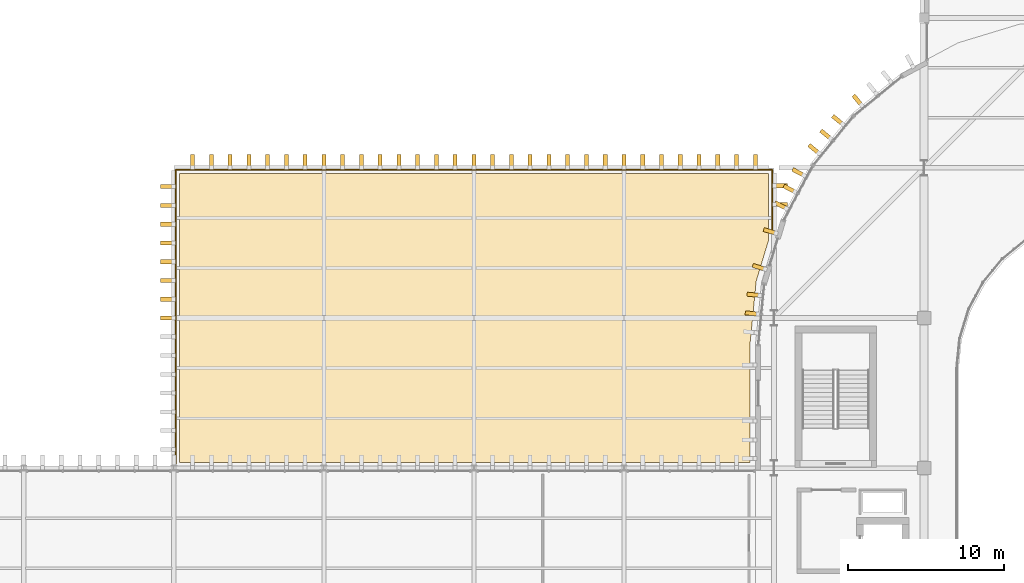
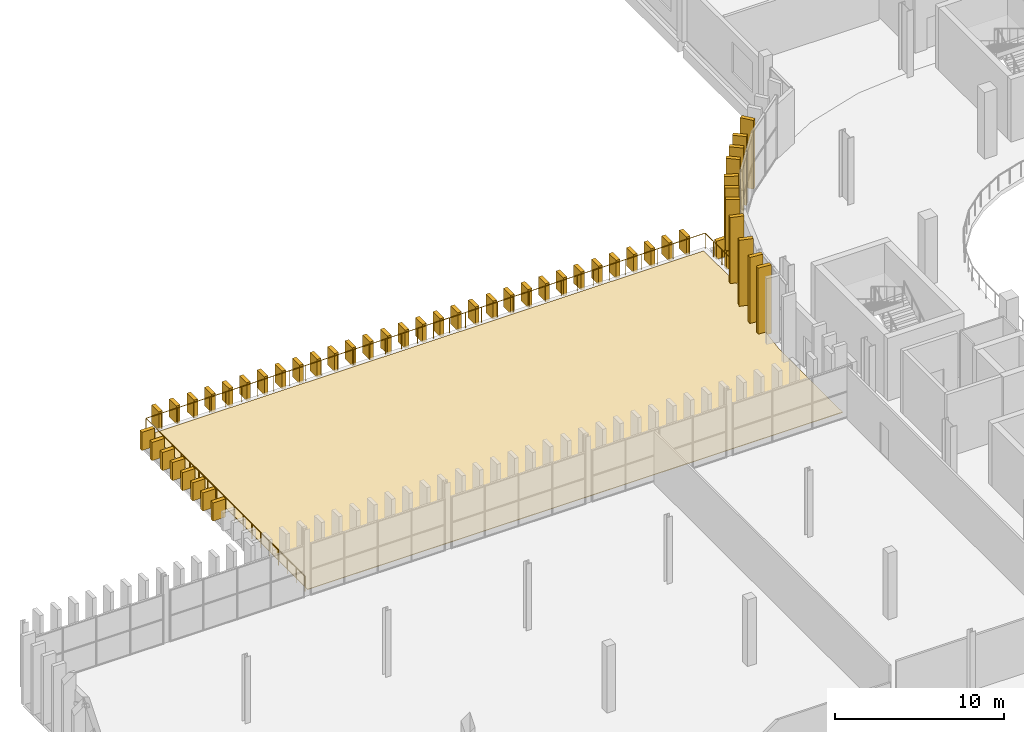
# One storey, part 86 of 99: 53 coverings, 1 railing.
"""IFC4 building model written with IfcOpenShell, lengths in metres."""

import ifcopenshell
import ifcopenshell.guid

model = None  # the IFC model being written
_history = None  # IfcOwnerHistory: only IFC2X3 demands one
_inside = {}  # id of a spatial element -> (the spatial element, [elements in it])
_under = {}  # id of a project, library or spatial element -> (it, [spatial elements below it])
_declared = {}  # id of a project -> (the project, [libraries it declares])
_typed = {}  # id of a type object -> (the type object, [elements of that type])
_made_of = {}  # id of a material, layer set ... -> (it, [elements and type objects made of it])


def new_model(schema):
    """Start an empty IFC model of exactly this schema.

    Asked for "IFC4X3", IfcOpenShell would pick the latest addendum, in which some entities
    have other attributes; the version numbers below select the first issue.
    IFC2X3 requires an IfcOwnerHistory on every rooted entity: one is made here for all.
    """
    global model, _history
    if schema == "IFC4X3":
        model = ifcopenshell.file(schema_version=(4, 3, 0, 0))
    else:
        model = ifcopenshell.file(schema=schema)
    _inside.clear()
    _under.clear()
    _declared.clear()
    _typed.clear()
    _made_of.clear()
    _history = None
    if model.schema == "IFC2X3":
        org = make("IfcOrganization", Name="unknown")
        user = make(
            "IfcPersonAndOrganization",
            ThePerson=make("IfcPerson", FamilyName="unknown"),
            TheOrganization=org,
        )
        app = make(
            "IfcApplication",
            ApplicationDeveloper=org,
            Version="unknown",
            ApplicationFullName="unknown",
            ApplicationIdentifier="unknown",
        )
        _history = make(
            "IfcOwnerHistory",
            OwningUser=user,
            OwningApplication=app,
            ChangeAction="ADDED",
            CreationDate=0,
        )
    return model


def make(cls, **values):
    """One entity of the class cls with the attributes given. An attribute that is None is left unset."""
    return model.create_entity(
        cls, **{name: value for name, value in values.items() if value is not None}
    )


def rooted(cls, **values):
    """An entity with a GlobalId (a new one), such as an element, a storey or a relation."""
    return make(cls, GlobalId=ifcopenshell.guid.new(), OwnerHistory=_history, **values)


def si_unit(unit_type, name, prefix=None):
    """IfcSIUnit, for example si_unit("LENGTHUNIT", "METRE", prefix="MILLI")."""
    return make("IfcSIUnit", UnitType=unit_type, Prefix=prefix, Name=name)


def assignment(units):
    """IfcUnitAssignment: the units of a project."""
    return None if units is None else make("IfcUnitAssignment", Units=units)


def point(xyz):
    """IfcCartesianPoint."""
    return None if xyz is None else make("IfcCartesianPoint", Coordinates=xyz)


def direction(xyz):
    """IfcDirection."""
    return None if xyz is None else make("IfcDirection", DirectionRatios=xyz)


def frame(location, z_axis=None, x_axis=None):
    """IfcAxis2Placement3D, a coordinate frame: its origin and axes. An axis left out is left unset."""
    return make(
        "IfcAxis2Placement3D",
        Location=point(location),
        Axis=direction(z_axis),
        RefDirection=direction(x_axis),
    )


def frame_2d(location, x_axis=None):
    """IfcAxis2Placement2D, a coordinate frame in the plane: its origin and x axis."""
    return make(
        "IfcAxis2Placement2D", Location=point(location), RefDirection=direction(x_axis)
    )


def origin():
    """The frame at (0, 0, 0) with its axes left unset."""
    return frame((0.0, 0.0, 0.0))


def origin_2d():
    """The frame at (0, 0) in the plane with its x axis left unset."""
    return frame_2d((0.0, 0.0))


def place(relative_to, where):
    """IfcLocalPlacement: puts the frame where relative to a parent placement (None: the world)."""
    return make(
        "IfcLocalPlacement", PlacementRelTo=relative_to, RelativePlacement=where
    )


def context(
    kind, dimensions, precision=None, world=None, true_north=None, identifier=None
):
    """IfcGeometricRepresentationContext, for example the 3D "Model" context."""
    return make(
        "IfcGeometricRepresentationContext",
        ContextIdentifier=identifier,
        ContextType=kind,
        CoordinateSpaceDimension=dimensions,
        Precision=precision,
        WorldCoordinateSystem=world,
        TrueNorth=true_north,
    )


def subcontext(parent, identifier, kind, view, scale=None):
    """IfcGeometricRepresentationSubContext, for example "Body" below "Model"."""
    return make(
        "IfcGeometricRepresentationSubContext",
        ContextIdentifier=identifier,
        ContextType=kind,
        ParentContext=parent,
        TargetScale=scale,
        TargetView=view,
    )


def project(units=None, contexts=None):
    """IfcProject with its units and contexts."""
    return rooted(
        "IfcProject",
        Name="project",
        RepresentationContexts=contexts,
        UnitsInContext=assignment(units),
    )


def spatial(cls, under=None, at=None, **own):
    """A site, building, storey or space (cls), placed at a placement, below another one or the project."""
    s = rooted(cls, ObjectPlacement=at, **own)
    if under is not None:
        _under.setdefault(under.id(), (under, []))[1].append(s)
    return s


def polyline(points):
    """IfcPolyline through the points."""
    return make("IfcPolyline", Points=[point(p) for p in points])


def profile(cls, at=None, kind="AREA", **sizes):
    """A parametric profile (cls). Its sizes go by their IFC names, for example OverallWidth=200.0."""
    return make(cls, ProfileType=kind, Position=at, **sizes)


def rectangle(**sizes):
    """IfcRectangleProfileDef."""
    return profile("IfcRectangleProfileDef", **sizes)


def circle(**sizes):
    """IfcCircleProfileDef."""
    return profile("IfcCircleProfileDef", **sizes)


def outline(outer, holes=None, kind="AREA"):
    """IfcArbitraryClosedProfileDef: a profile drawn as a closed curve; with holes, ...WithVoids."""
    if holes is None:
        return make("IfcArbitraryClosedProfileDef", ProfileType=kind, OuterCurve=outer)
    return make(
        "IfcArbitraryProfileDefWithVoids",
        ProfileType=kind,
        OuterCurve=outer,
        InnerCurves=holes,
    )


def extrude(swept, where, along, depth):
    """IfcExtrudedAreaSolid: the profile swept, set in the frame where, extruded along a direction by depth."""
    return make(
        "IfcExtrudedAreaSolid",
        SweptArea=swept,
        Position=where,
        ExtrudedDirection=direction(along),
        Depth=depth,
    )


def shape(context_of_items, identifier, shape_type, items):
    """IfcShapeRepresentation: the items that make up one representation, for example the "Body"."""
    return make(
        "IfcShapeRepresentation",
        ContextOfItems=context_of_items,
        RepresentationIdentifier=identifier,
        RepresentationType=shape_type,
        Items=items,
    )


def material(Name=None, Category=None):
    """IfcMaterial."""
    return make("IfcMaterial", Name=Name, Category=Category)


def layer(
    of_material, thickness, ventilated=None, Name=None, Category=None, Priority=None
):
    """IfcMaterialLayer: one layer of a wall or slab, of a material (None: an air gap)."""
    return make(
        "IfcMaterialLayer",
        Material=of_material,
        LayerThickness=thickness,
        IsVentilated=ventilated,
        Name=Name,
        Category=Category,
        Priority=Priority,
    )


def layer_set(layers, Name=None):
    """IfcMaterialLayerSet."""
    return make("IfcMaterialLayerSet", MaterialLayers=layers, LayerSetName=Name)


def material_profile(
    of_material, cross_section, Name=None, Category=None, Priority=None
):
    """IfcMaterialProfile: a cross section and its material."""
    return make(
        "IfcMaterialProfile",
        Name=Name,
        Material=of_material,
        Profile=cross_section,
        Priority=Priority,
        Category=Category,
    )


def profile_set(profiles, Name=None, composite=None):
    """IfcMaterialProfileSet."""
    return make(
        "IfcMaterialProfileSet",
        Name=Name,
        MaterialProfiles=profiles,
        CompositeProfile=composite,
    )


def made_of(thing, what):
    """Note that an element or type object is made of a material, layer set ...; save() writes the relation."""
    if what is not None:
        _made_of.setdefault(what.id(), (what, []))[1].append(thing)
    return thing


def type_object(cls, material=None, **own):
    """A type object (cls), such as IfcWallType, which elements share."""
    return made_of(rooted(cls, **own), material)


def element(
    cls,
    number,
    at=None,
    inside=None,
    cuts=None,
    type_object=None,
    material=None,
    context=None,
    identifier="Body",
    shape_type=None,
    held_by="IfcProductDefinitionShape",
    body=None,
    shapes=None,
    **own,
):
    """One element of the class cls, such as IfcWall. Its Tag is "e" and its number.

    at: its placement. inside: the storey or other place that contains it. cuts: it is an
    opening in that element (IfcRelVoidsElement). A single representation is given by context,
    identifier, shape_type and body (its items); several are given by shapes. held_by: the class
    of the entity that holds the representations. save() writes the other relations.
    """
    e = rooted(cls, Tag="e%d" % number, ObjectPlacement=at, **own)
    if body is not None:
        shapes = [shape(context, identifier, shape_type, body)]
    if shapes is not None:
        e.Representation = make(held_by, Representations=shapes)
    if inside is not None:
        _inside.setdefault(inside.id(), (inside, []))[1].append(e)
    if cuts is not None:
        rooted(
            "IfcRelVoidsElement", RelatingBuildingElement=cuts, RelatedOpeningElement=e
        )
    if type_object is not None:
        _typed.setdefault(type_object.id(), (type_object, []))[1].append(e)
    return made_of(e, material)


def aggregate(whole, parts):
    """IfcRelAggregates: a whole, such as a stair, and the parts it consists of."""
    return rooted("IfcRelAggregates", RelatingObject=whole, RelatedObjects=parts)


def save(model, path):
    """Write the relations noted so far, then the file.

    IfcRelAggregates (storeys below a building ...), IfcRelContainedInSpatialStructure (elements
    in a storey), IfcRelDefinesByType, IfcRelAssociatesMaterial and IfcRelDeclares: one each for
    every whole, place, type object, material and project.
    """
    for whole, parts in _under.values():
        aggregate(whole, parts)
    for where, things in _inside.values():
        rooted(
            "IfcRelContainedInSpatialStructure",
            RelatedElements=things,
            RelatingStructure=where,
        )
    for kind, things in _typed.values():
        rooted("IfcRelDefinesByType", RelatedObjects=things, RelatingType=kind)
    for what, things in _made_of.values():
        rooted("IfcRelAssociatesMaterial", RelatedObjects=things, RelatingMaterial=what)
    for by, libraries in _declared.values():
        rooted("IfcRelDeclares", RelatingContext=by, RelatedDefinitions=libraries)
    model.write(path)


model = new_model("IFC4")

# Units and contexts
model_context = context("Model", 3, precision=1e-05, world=origin(), true_north=direction((0.0, 1.0)))
body_context = subcontext(model_context, "Body", "Model", "MODEL_VIEW")
ifc_project = project(units=[si_unit("LENGTHUNIT", "METRE"), si_unit("AREAUNIT", "SQUARE_METRE"), si_unit("VOLUMEUNIT", "CUBIC_METRE"), si_unit("PLANEANGLEUNIT", "RADIAN"), si_unit("MASSUNIT", "GRAM", prefix="KILO")], contexts=[model_context])

# Site, building, storey
site_placement = place(None, origin())
site = spatial("IfcSite", under=ifc_project, at=site_placement, CompositionType="ELEMENT")
building_placement = place(site_placement, origin())
building = spatial("IfcBuilding", under=site, at=building_placement, Name="Caelomonte Colonnade Arena", CompositionType="ELEMENT")
storey_placement = place(building_placement, frame((0.0, 0.0, 4.800048828125)))
storey = spatial("IfcBuildingStorey", under=building, at=storey_placement, Name="L01", CompositionType="ELEMENT", Elevation=4.800048828125)

# Coverings
ifc_material_1 = material(Name="Travertine colonnade arrival paving", Category="masonry")
ifc_layer = layer(ifc_material_1, 0.0400390625)
ifc_layer_set = layer_set([ifc_layer], Name="Travertine colonnade arrival paving")
covering_type_1 = type_object("IfcCoveringType", Name="ENV-CV-PAV25", PredefinedType="FLOORING", material=ifc_layer_set)
covering_placement = place(storey_placement, origin())
element("IfcCovering", 1, at=covering_placement, inside=storey, type_object=covering_type_1, Name="North Athlete Deck Roof travertine terrace paving 2", PredefinedType="FLOORING", context=body_context, shape_type="SweptSolid", body=[
    extrude(outline(polyline([(19.550048828125, 86.75), (56.050048828125, 86.75), (56.050048828125, 94.199951171875), (56.0517578125, 94.234375), (56.455078125, 98.331298828125), (56.460205078125, 98.365234375), (56.468505859375, 98.3984375), (57.25, 100.974609375), (57.25, 105.25), (19.550048828125, 105.25), (19.550048828125, 86.75)])), origin(), (0.0, 0.0, 1.0), 0.0400390625),
])
ifc_material_2 = material(Name="Precast travertine cladding", Category="masonry")
ifc_material_profile = material_profile(ifc_material_2, rectangle(XDim=0.260009765625, YDim=0.85009765625, at=origin_2d()), Name="FIN260X850")
ifc_profile_set = profile_set([ifc_material_profile], Name="Precast travertine cladding")
covering_type_2 = type_object("IfcCoveringType", Name="ENV-FN-SHAFT", PredefinedType="CLADDING", material=ifc_profile_set)
for number, where, z_axis, x_axis, name in (
    (2, (62.947265625, 109.919189453125, -0.16015625), (0.0, 0.0, 1.0), (0.77299384472, 0.634413521313, 0.0), "V1 L01 classical travertine vertical fin 158"),
    (3, (61.680908203125, 108.65283203125, -0.16015625), (0.0, 0.0, 1.0), (0.634413521313, 0.77299384472, 0.0), "V1 L01 classical travertine vertical fin 159"),
    (4, (60.91943359375, 107.72509765625, -0.16015625), (0.0, 0.0, 1.0), (0.634413521313, 0.77299384472, 0.0), "V1 L01 classical travertine vertical fin 160"),
    (5, (60.158203125, 106.797607421875, -0.16015625), (0.0, 0.0, 1.0), (0.634413521313, 0.77299384472, 0.0), "V1 L01 classical travertine vertical fin 161"),
    (6, (59.1630859375, 105.30859375, -0.16015625), (0.0, 0.0, 1.0), (0.471396736826, 0.881921264348, 0.0), "V1 L01 classical travertine vertical fin 162"),
    (7, (58.597412109375, 104.250244140625, -0.16015625), (0.0, 0.0, 1.0), (0.471396736826, 0.881921264348, 0.0), "V1 L01 classical travertine vertical fin 163"),
    (8, (58.03173828125, 103.19189453125, -0.16015625), (0.0, 0.0, 1.0), (0.471396736826, 0.881921264348, 0.0), "V1 L01 classical travertine vertical fin 164"),
    (9, (57.346435546875, 101.537109375, -0.16015625), (0.0, 0.0, 1.0), (0.290276326364, 0.956942868907, 0.0), "V1 L01 classical travertine vertical fin 165"),
    (10, (56.64990234375, 99.240478515625, -0.16015625), (0.0, 0.0, 1.0), (0.290276326364, 0.956942868907, 0.0), "V1 L01 classical travertine vertical fin 167"),
    (11, (56.30029296875, 97.48388671875, -0.16015625), (0.0, 0.0, 1.0), (0.098015403404, 0.995184897743, 0.0), "V1 L01 classical travertine vertical fin 168"),
    (12, (56.182861328125, 96.289794921875, -0.16015625), (0.0, 0.0, 1.0), (0.098015403404, 0.995184897743, 0.0), "V1 L01 classical travertine vertical fin 169"),
):
    element("IfcCovering", number, at=place(storey_placement, frame(where, z_axis=z_axis, x_axis=x_axis)), inside=storey, type_object=covering_type_2, Name=name, PredefinedType="CLADDING", context=body_context, shape_type="SweptSolid", body=[
        extrude(rectangle(XDim=0.260009765625, YDim=0.85009765625, at=origin_2d()), origin(), (0.0, 0.0, 1.0), 4.960205078125),
    ])
for number, where, z_axis, x_axis, name in (
    (13, (58.02099609375, 103.26123046875, -0.16015625), (0.0, 0.0, 1.0), (0.0, -1.0, 0.0), "V5D L01 classical travertine vertical fin 2"),
    (14, (58.02099609375, 104.461181640625, -0.16015625), (0.0, 0.0, 1.0), (0.0, -1.0, 0.0), "V5D L01 classical travertine vertical fin 3"),
    (15, (56.39990234375, 106.02099609375, -0.16015625), (0.0, 0.0, 1.0), (1.0, 0.0, 0.0), "V5D L01 classical travertine vertical fin 4"),
    (16, (55.199951171875, 106.02099609375, -0.16015625), (0.0, 0.0, 1.0), (1.0, 0.0, 0.0), "V5D L01 classical travertine vertical fin 5"),
    (17, (54.0, 106.02099609375, -0.16015625), (0.0, 0.0, 1.0), (1.0, 0.0, 0.0), "V5D L01 classical travertine vertical fin 6"),
    (18, (52.800048828125, 106.02099609375, -0.16015625), (0.0, 0.0, 1.0), (1.0, 0.0, 0.0), "V5D L01 classical travertine vertical fin 7"),
    (19, (51.60009765625, 106.02099609375, -0.16015625), (0.0, 0.0, 1.0), (1.0, 0.0, 0.0), "V5D L01 classical travertine vertical fin 8"),
    (20, (50.39990234375, 106.02099609375, -0.16015625), (0.0, 0.0, 1.0), (1.0, 0.0, 0.0), "V5D L01 classical travertine vertical fin 9"),
    (21, (49.199951171875, 106.02099609375, -0.16015625), (0.0, 0.0, 1.0), (1.0, 0.0, 0.0), "V5D L01 classical travertine vertical fin 10"),
    (22, (48.0, 106.02099609375, -0.16015625), (0.0, 0.0, 1.0), (1.0, 0.0, 0.0), "V5D L01 classical travertine vertical fin 11"),
    (23, (46.800048828125, 106.02099609375, -0.16015625), (0.0, 0.0, 1.0), (1.0, 0.0, 0.0), "V5D L01 classical travertine vertical fin 12"),
    (24, (45.60009765625, 106.02099609375, -0.16015625), (0.0, 0.0, 1.0), (1.0, 0.0, 0.0), "V5D L01 classical travertine vertical fin 13"),
    (25, (44.39990234375, 106.02099609375, -0.16015625), (0.0, 0.0, 1.0), (1.0, 0.0, 0.0), "V5D L01 classical travertine vertical fin 14"),
    (26, (43.199951171875, 106.02099609375, -0.16015625), (0.0, 0.0, 1.0), (1.0, 0.0, 0.0), "V5D L01 classical travertine vertical fin 15"),
    (27, (42.0, 106.02099609375, -0.16015625), (0.0, 0.0, 1.0), (1.0, 0.0, 0.0), "V5D L01 classical travertine vertical fin 16"),
    (28, (40.800048828125, 106.02099609375, -0.16015625), (0.0, 0.0, 1.0), (1.0, 0.0, 0.0), "V5D L01 classical travertine vertical fin 17"),
    (29, (39.60009765625, 106.02099609375, -0.16015625), (0.0, 0.0, 1.0), (1.0, 0.0, 0.0), "V5D L01 classical travertine vertical fin 18"),
    (30, (38.39990234375, 106.02099609375, -0.16015625), (0.0, 0.0, 1.0), (1.0, 0.0, 0.0), "V5D L01 classical travertine vertical fin 19"),
    (31, (37.199951171875, 106.02099609375, -0.16015625), (0.0, 0.0, 1.0), (1.0, 0.0, 0.0), "V5D L01 classical travertine vertical fin 20"),
    (32, (36.0, 106.02099609375, -0.16015625), (0.0, 0.0, 1.0), (1.0, 0.0, 0.0), "V5D L01 classical travertine vertical fin 21"),
    (33, (34.800048828125, 106.02099609375, -0.16015625), (0.0, 0.0, 1.0), (1.0, 0.0, 0.0), "V5D L01 classical travertine vertical fin 22"),
    (34, (33.60009765625, 106.02099609375, -0.16015625), (0.0, 0.0, 1.0), (1.0, 0.0, 0.0), "V5D L01 classical travertine vertical fin 23"),
    (35, (32.39990234375, 106.02099609375, -0.16015625), (0.0, 0.0, 1.0), (1.0, 0.0, 0.0), "V5D L01 classical travertine vertical fin 24"),
    (36, (31.199951171875, 106.02099609375, -0.16015625), (0.0, 0.0, 1.0), (1.0, 0.0, 0.0), "V5D L01 classical travertine vertical fin 25"),
    (37, (30.0, 106.02099609375, -0.16015625), (0.0, 0.0, 1.0), (1.0, 0.0, 0.0), "V5D L01 classical travertine vertical fin 26"),
    (38, (28.800048828125, 106.02099609375, -0.16015625), (0.0, 0.0, 1.0), (1.0, 0.0, 0.0), "V5D L01 classical travertine vertical fin 27"),
    (39, (27.60009765625, 106.02099609375, -0.16015625), (0.0, 0.0, 1.0), (1.0, 0.0, 0.0), "V5D L01 classical travertine vertical fin 28"),
    (40, (26.39990234375, 106.02099609375, -0.16015625), (0.0, 0.0, 1.0), (1.0, 0.0, 0.0), "V5D L01 classical travertine vertical fin 29"),
    (41, (25.199951171875, 106.02099609375, -0.16015625), (0.0, 0.0, 1.0), (1.0, 0.0, 0.0), "V5D L01 classical travertine vertical fin 30"),
    (42, (24.0, 106.02099609375, -0.16015625), (0.0, 0.0, 1.0), (1.0, 0.0, 0.0), "V5D L01 classical travertine vertical fin 31"),
    (43, (22.800048828125, 106.02099609375, -0.16015625), (0.0, 0.0, 1.0), (1.0, 0.0, 0.0), "V5D L01 classical travertine vertical fin 32"),
    (44, (21.60009765625, 106.02099609375, -0.16015625), (0.0, 0.0, 1.0), (1.0, 0.0, 0.0), "V5D L01 classical travertine vertical fin 33"),
    (45, (20.39990234375, 106.02099609375, -0.16015625), (0.0, 0.0, 1.0), (1.0, 0.0, 0.0), "V5D L01 classical travertine vertical fin 34"),
    (46, (18.779052734375, 104.39990234375, -0.16015625), (0.0, 0.0, 1.0), (0.0, 1.0, 0.0), "V5D L01 classical travertine vertical fin 35"),
    (47, (18.779052734375, 103.199951171875, -0.16015625), (0.0, 0.0, 1.0), (0.0, 1.0, 0.0), "V5D L01 classical travertine vertical fin 36"),
    (48, (18.779052734375, 102.0, -0.16015625), (0.0, 0.0, 1.0), (0.0, 1.0, 0.0), "V5D L01 classical travertine vertical fin 37"),
    (49, (18.779052734375, 100.800048828125, -0.16015625), (0.0, 0.0, 1.0), (0.0, 1.0, 0.0), "V5D L01 classical travertine vertical fin 38"),
    (50, (18.779052734375, 99.60009765625, -0.16015625), (0.0, 0.0, 1.0), (0.0, 1.0, 0.0), "V5D L01 classical travertine vertical fin 39"),
    (51, (18.779052734375, 98.39990234375, -0.16015625), (0.0, 0.0, 1.0), (0.0, 1.0, 0.0), "V5D L01 classical travertine vertical fin 40"),
    (52, (18.779052734375, 97.199951171875, -0.16015625), (0.0, 0.0, 1.0), (0.0, 1.0, 0.0), "V5D L01 classical travertine vertical fin 41"),
    (53, (18.779052734375, 96.0, -0.16015625), (0.0, 0.0, 1.0), (0.0, 1.0, 0.0), "V5D L01 classical travertine vertical fin 42"),
):
    element("IfcCovering", number, at=place(storey_placement, frame(where, z_axis=z_axis, x_axis=x_axis)), inside=storey, type_object=covering_type_2, Name=name, PredefinedType="CLADDING", context=body_context, shape_type="SweptSolid", body=[
        extrude(rectangle(XDim=0.260009765625, YDim=0.85009765625, at=origin_2d()), origin(), (0.0, 0.0, 1.0), 1.31005859375),
    ])

# Railing
ifc_material_3 = material(Name="Travertine limestone and bronze balustrade", Category="masonry")
railing_type = type_object("IfcRailingType", Name="ENV-RL-BAL1", PredefinedType="BALUSTRADE", material=ifc_material_3)
railing_placement = place(storey_placement, frame((19.320068359375, 86.679931640625, 0.0)))
element("IfcRailing", 54, at=railing_placement, inside=storey, type_object=railing_type, Name="North Athlete Deck Roof perimeter guard 1", PredefinedType="BALUSTRADE", context=body_context, shape_type="SweptSolid", body=[
    extrude(circle(Radius=0.02392578125, at=origin_2d()), frame((0.0, 0.0, 1.09619140625), z_axis=(0.0, 1.0, 0.0), x_axis=(-1.0, 0.0, 0.0)), (0.0, 0.0, 1.0), 18.768798828125),
    extrude(circle(Radius=0.02392578125, at=origin_2d()), frame((0.03125, 18.800048828125, 1.09619140625), z_axis=(1.0, 0.0, 0.0), x_axis=(0.0, 1.0, 0.0)), (0.0, 0.0, 1.0), 38.097412109375),
    extrude(circle(Radius=0.02392578125, at=origin_2d()), frame((38.159912109375, 18.768798828125, 1.09619140625), z_axis=(0.0, -1.0, 0.0), x_axis=(1.0, 0.0, 0.0)), (0.0, 0.0, 1.0), 3.95703125),
    extrude(circle(Radius=0.02099609375, at=origin_2d()), origin(), (0.0, 0.0, 1.0), 1.068115234375),
    extrude(circle(Radius=0.02099609375, at=origin_2d()), frame((0.0, 1.04443359375, 0.0)), (0.0, 0.0, 1.0), 1.068115234375),
    extrude(circle(Radius=0.02099609375, at=origin_2d()), frame((0.0, 2.0888671875, 0.0)), (0.0, 0.0, 1.0), 1.068115234375),
    extrude(circle(Radius=0.02099609375, at=origin_2d()), frame((0.0, 3.13330078125, 0.0)), (0.0, 0.0, 1.0), 1.068115234375),
    extrude(circle(Radius=0.02099609375, at=origin_2d()), frame((0.0, 4.177734375, 0.0)), (0.0, 0.0, 1.0), 1.068115234375),
    extrude(circle(Radius=0.02099609375, at=origin_2d()), frame((0.0, 5.22216796875, 0.0)), (0.0, 0.0, 1.0), 1.068115234375),
    extrude(circle(Radius=0.02099609375, at=origin_2d()), frame((0.0, 6.2666015625, 0.0)), (0.0, 0.0, 1.0), 1.068115234375),
    extrude(circle(Radius=0.02099609375, at=origin_2d()), frame((0.0, 7.31103515625, 0.0)), (0.0, 0.0, 1.0), 1.068115234375),
    extrude(circle(Radius=0.02099609375, at=origin_2d()), frame((0.0, 8.35546875, 0.0)), (0.0, 0.0, 1.0), 1.068115234375),
    extrude(circle(Radius=0.02099609375, at=origin_2d()), frame((0.0, 9.39990234375, 0.0)), (0.0, 0.0, 1.0), 1.068115234375),
    extrude(circle(Radius=0.02099609375, at=origin_2d()), frame((0.0, 10.444580078125, 0.0)), (0.0, 0.0, 1.0), 1.068115234375),
    extrude(circle(Radius=0.02099609375, at=origin_2d()), frame((0.0, 11.489013671875, 0.0)), (0.0, 0.0, 1.0), 1.068115234375),
    extrude(circle(Radius=0.02099609375, at=origin_2d()), frame((0.0, 12.533447265625, 0.0)), (0.0, 0.0, 1.0), 1.068115234375),
    extrude(circle(Radius=0.02099609375, at=origin_2d()), frame((0.0, 13.577880859375, 0.0)), (0.0, 0.0, 1.0), 1.068115234375),
    extrude(circle(Radius=0.02099609375, at=origin_2d()), frame((0.0, 14.622314453125, 0.0)), (0.0, 0.0, 1.0), 1.068115234375),
    extrude(circle(Radius=0.02099609375, at=origin_2d()), frame((0.0, 15.666748046875, 0.0)), (0.0, 0.0, 1.0), 1.068115234375),
    extrude(circle(Radius=0.02099609375, at=origin_2d()), frame((0.0, 16.711181640625, 0.0)), (0.0, 0.0, 1.0), 1.068115234375),
    extrude(circle(Radius=0.02099609375, at=origin_2d()), frame((0.0, 17.755615234375, 0.0)), (0.0, 0.0, 1.0), 1.068115234375),
    extrude(circle(Radius=0.02099609375, at=origin_2d()), frame((0.0, 18.800048828125, 0.0)), (0.0, 0.0, 1.0), 1.068115234375),
    extrude(circle(Radius=0.02099609375, at=origin_2d()), frame((1.09033203125, 18.800048828125, 0.0)), (0.0, 0.0, 1.0), 1.068115234375),
    extrude(circle(Radius=0.02099609375, at=origin_2d()), frame((2.1806640625, 18.800048828125, 0.0)), (0.0, 0.0, 1.0), 1.068115234375),
    extrude(circle(Radius=0.02099609375, at=origin_2d()), frame((3.270751953125, 18.800048828125, 0.0)), (0.0, 0.0, 1.0), 1.068115234375),
    extrude(circle(Radius=0.02099609375, at=origin_2d()), frame((4.361083984375, 18.800048828125, 0.0)), (0.0, 0.0, 1.0), 1.068115234375),
    extrude(circle(Radius=0.02099609375, at=origin_2d()), frame((5.451416015625, 18.800048828125, 0.0)), (0.0, 0.0, 1.0), 1.068115234375),
    extrude(circle(Radius=0.02099609375, at=origin_2d()), frame((6.541748046875, 18.800048828125, 0.0)), (0.0, 0.0, 1.0), 1.068115234375),
    extrude(circle(Radius=0.02099609375, at=origin_2d()), frame((7.632080078125, 18.800048828125, 0.0)), (0.0, 0.0, 1.0), 1.068115234375),
    extrude(circle(Radius=0.02099609375, at=origin_2d()), frame((8.72216796875, 18.800048828125, 0.0)), (0.0, 0.0, 1.0), 1.068115234375),
    extrude(circle(Radius=0.02099609375, at=origin_2d()), frame((9.8125, 18.800048828125, 0.0)), (0.0, 0.0, 1.0), 1.068115234375),
    extrude(circle(Radius=0.02099609375, at=origin_2d()), frame((10.90283203125, 18.800048828125, 0.0)), (0.0, 0.0, 1.0), 1.068115234375),
    extrude(circle(Radius=0.02099609375, at=origin_2d()), frame((11.9931640625, 18.800048828125, 0.0)), (0.0, 0.0, 1.0), 1.068115234375),
    extrude(circle(Radius=0.02099609375, at=origin_2d()), frame((13.08349609375, 18.800048828125, 0.0)), (0.0, 0.0, 1.0), 1.068115234375),
    extrude(circle(Radius=0.02099609375, at=origin_2d()), frame((14.173583984375, 18.800048828125, 0.0)), (0.0, 0.0, 1.0), 1.068115234375),
    extrude(circle(Radius=0.02099609375, at=origin_2d()), frame((15.263916015625, 18.800048828125, 0.0)), (0.0, 0.0, 1.0), 1.068115234375),
    extrude(circle(Radius=0.02099609375, at=origin_2d()), frame((16.354248046875, 18.800048828125, 0.0)), (0.0, 0.0, 1.0), 1.068115234375),
    extrude(circle(Radius=0.02099609375, at=origin_2d()), frame((17.444580078125, 18.800048828125, 0.0)), (0.0, 0.0, 1.0), 1.068115234375),
    extrude(circle(Radius=0.02099609375, at=origin_2d()), frame((18.534912109375, 18.800048828125, 0.0)), (0.0, 0.0, 1.0), 1.068115234375),
    extrude(circle(Radius=0.02099609375, at=origin_2d()), frame((19.625, 18.800048828125, 0.0)), (0.0, 0.0, 1.0), 1.068115234375),
    extrude(circle(Radius=0.02099609375, at=origin_2d()), frame((20.71533203125, 18.800048828125, 0.0)), (0.0, 0.0, 1.0), 1.068115234375),
    extrude(circle(Radius=0.02099609375, at=origin_2d()), frame((21.8056640625, 18.800048828125, 0.0)), (0.0, 0.0, 1.0), 1.068115234375),
    extrude(circle(Radius=0.02099609375, at=origin_2d()), frame((22.89599609375, 18.800048828125, 0.0)), (0.0, 0.0, 1.0), 1.068115234375),
    extrude(circle(Radius=0.02099609375, at=origin_2d()), frame((23.986328125, 18.800048828125, 0.0)), (0.0, 0.0, 1.0), 1.068115234375),
    extrude(circle(Radius=0.02099609375, at=origin_2d()), frame((25.076416015625, 18.800048828125, 0.0)), (0.0, 0.0, 1.0), 1.068115234375),
    extrude(circle(Radius=0.02099609375, at=origin_2d()), frame((26.166748046875, 18.800048828125, 0.0)), (0.0, 0.0, 1.0), 1.068115234375),
    extrude(circle(Radius=0.02099609375, at=origin_2d()), frame((27.257080078125, 18.800048828125, 0.0)), (0.0, 0.0, 1.0), 1.068115234375),
    extrude(circle(Radius=0.02099609375, at=origin_2d()), frame((28.347412109375, 18.800048828125, 0.0)), (0.0, 0.0, 1.0), 1.068115234375),
    extrude(circle(Radius=0.02099609375, at=origin_2d()), frame((29.437744140625, 18.800048828125, 0.0)), (0.0, 0.0, 1.0), 1.068115234375),
    extrude(circle(Radius=0.02099609375, at=origin_2d()), frame((30.52783203125, 18.800048828125, 0.0)), (0.0, 0.0, 1.0), 1.068115234375),
    extrude(circle(Radius=0.02099609375, at=origin_2d()), frame((31.6181640625, 18.800048828125, 0.0)), (0.0, 0.0, 1.0), 1.068115234375),
    extrude(circle(Radius=0.02099609375, at=origin_2d()), frame((32.70849609375, 18.800048828125, 0.0)), (0.0, 0.0, 1.0), 1.068115234375),
    extrude(circle(Radius=0.02099609375, at=origin_2d()), frame((33.798828125, 18.800048828125, 0.0)), (0.0, 0.0, 1.0), 1.068115234375),
    extrude(circle(Radius=0.02099609375, at=origin_2d()), frame((34.88916015625, 18.800048828125, 0.0)), (0.0, 0.0, 1.0), 1.068115234375),
    extrude(circle(Radius=0.02099609375, at=origin_2d()), frame((35.979248046875, 18.800048828125, 0.0)), (0.0, 0.0, 1.0), 1.068115234375),
    extrude(circle(Radius=0.02099609375, at=origin_2d()), frame((37.069580078125, 18.800048828125, 0.0)), (0.0, 0.0, 1.0), 1.068115234375),
    extrude(circle(Radius=0.02099609375, at=origin_2d()), frame((38.159912109375, 18.800048828125, 0.0)), (0.0, 0.0, 1.0), 1.068115234375),
    extrude(circle(Radius=0.02099609375, at=origin_2d()), frame((38.159912109375, 17.802978515625, 0.0)), (0.0, 0.0, 1.0), 1.068115234375),
    extrude(circle(Radius=0.02099609375, at=origin_2d()), frame((38.159912109375, 16.805908203125, 0.0)), (0.0, 0.0, 1.0), 1.068115234375),
    extrude(circle(Radius=0.02099609375, at=origin_2d()), frame((38.159912109375, 15.808837890625, 0.0)), (0.0, 0.0, 1.0), 1.068115234375),
    extrude(circle(Radius=0.02099609375, at=origin_2d()), frame((38.159912109375, 14.811767578125, 0.0)), (0.0, 0.0, 1.0), 1.068115234375),
])

save(model, "model.ifc")
